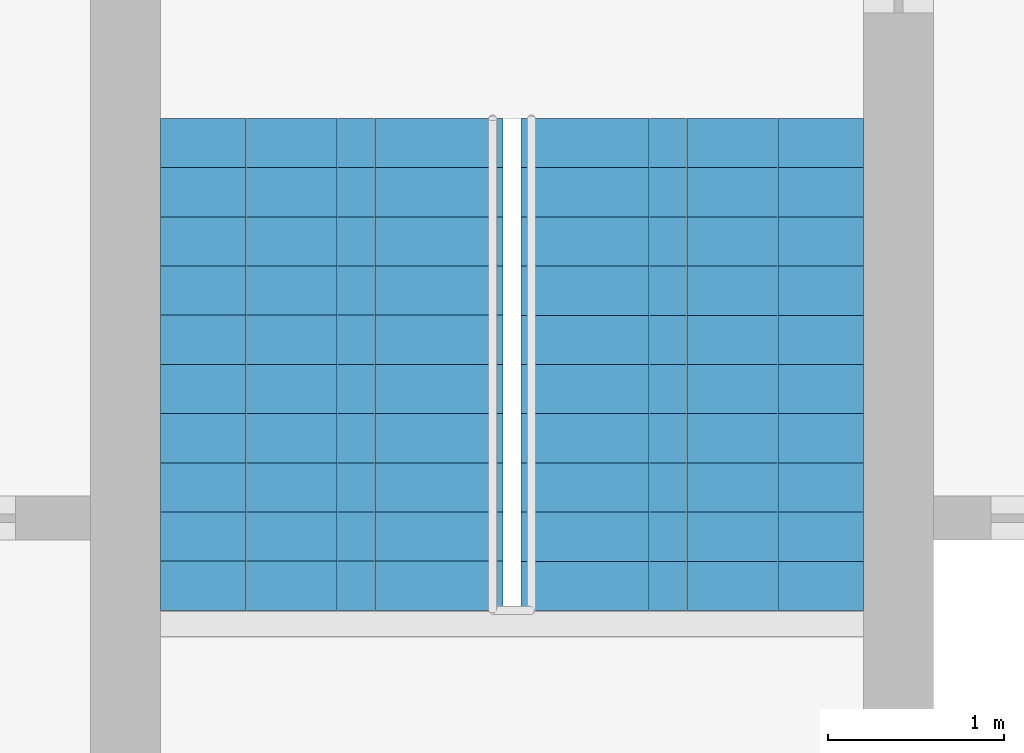
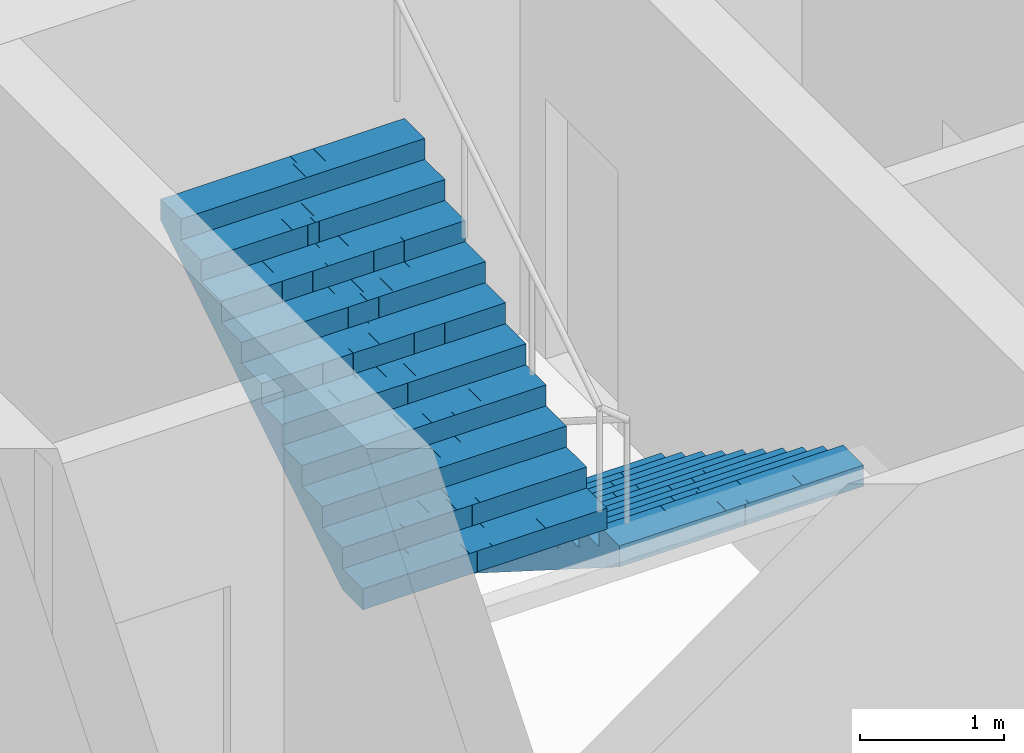
# One storey, part 18 of 19: 2 stair flights, 1 element without a shape of its own.
"""IFC4 building model written with IfcOpenShell, lengths in metres."""

from ifc_helpers import new_model, si_unit, direction, frame, origin, place, context, subcontext, project, spatial, polyline, outline, extrude, material, type_object, element, aggregate, save


model = new_model("IFC4")

# Units and contexts
model_context = context("Model", 3, precision=1e-05, world=origin(), true_north=direction((0.0, 1.0)))
body_context = subcontext(model_context, "Body", "Model", "MODEL_VIEW")
ifc_project = project(units=[si_unit("LENGTHUNIT", "METRE"), si_unit("AREAUNIT", "SQUARE_METRE"), si_unit("VOLUMEUNIT", "CUBIC_METRE"), si_unit("PLANEANGLEUNIT", "RADIAN"), si_unit("MASSUNIT", "GRAM", prefix="KILO")], contexts=[model_context])

# Site, building, storey
site_placement = place(None, origin())
site = spatial("IfcSite", under=ifc_project, at=site_placement, CompositionType="ELEMENT")
building_placement = place(site_placement, origin())
building = spatial("IfcBuilding", under=site, at=building_placement, Name="Mizan Broadcast Tower", CompositionType="ELEMENT")
storey_placement = place(building_placement, frame((0.0, 0.0, 204.89990234375)))
storey = spatial("IfcBuildingStorey", under=building, at=storey_placement, Name="L47", CompositionType="ELEMENT", Elevation=204.89990234375)

# Stair, stair flights
ifc_material_1 = material(Name="Concrete C40/50", Category="concrete")
stair_type = type_object("IfcStairType", Name="EXIT STAIR", PredefinedType="HALF_TURN_STAIR", material=ifc_material_1)
stair_placement = place(storey_placement, origin())
stair = element("IfcStair", 1, at=stair_placement, inside=storey, type_object=stair_type, Name="Stair B L47", PredefinedType="HALF_TURN_STAIR")
ifc_material_2 = material(Name="Concrete C40/50", Category="concrete")
stair_flight_type = type_object("IfcStairFlightType", Name="EXIT STAIR FLIGHT", PredefinedType="STRAIGHT", material=ifc_material_2)
stair_flight_1_placement = place(storey_placement, frame((1.02490234375, 7.89990234375, 0.0), z_axis=(0.0, 0.0, 1.0), x_axis=(0.0, -1.0, 0.0)))
stair_flight_1 = element("IfcStairFlight", 2, at=stair_flight_1_placement, type_object=stair_flight_type, Name="B flight 1", NumberOfRisers=11, NumberOfTreads=10, PredefinedType="STRAIGHT", RiserHeight=0.177272727, TreadLength=0.28, context=body_context, shape_type="SweptSolid", body=[
    extrude(outline(polyline([(0.0, 0.0), (0.0, 0.17724609375), (0.280029296875, 0.17724609375), (0.280029296875, 0.3544921875), (0.56005859375, 0.3544921875), (0.56005859375, 0.53173828125), (0.840087890625, 0.53173828125), (0.840087890625, 0.708984375), (1.1201171875, 0.708984375), (1.1201171875, 0.886474609375), (1.39990234375, 0.886474609375), (1.39990234375, 1.063720703125), (1.679931640625, 1.063720703125), (1.679931640625, 1.240966796875), (1.9599609375, 1.240966796875), (1.9599609375, 1.418212890625), (2.239990234375, 1.418212890625), (2.239990234375, 1.595458984375), (2.52001953125, 1.595458984375), (2.52001953125, 1.772705078125), (2.800048828125, 1.772705078125), (2.800048828125, 1.949951171875), (2.800048828125, 1.59521484375), (0.2802734375, 0.0), (0.0, 0.0)])), frame((0.0, 0.97509765625, 0.0), z_axis=(0.0, -1.0, 0.0), x_axis=(1.0, 0.0, 0.0)), (0.0, 0.0, 1.0), 0.4873046875),
    extrude(outline(polyline([(0.0, 0.0), (0.0, 0.17724609375), (0.280029296875, 0.17724609375), (0.280029296875, 0.3544921875), (0.56005859375, 0.3544921875), (0.56005859375, 0.53173828125), (0.840087890625, 0.53173828125), (0.840087890625, 0.708984375), (1.1201171875, 0.708984375), (1.1201171875, 0.886474609375), (1.39990234375, 0.886474609375), (1.39990234375, 1.063720703125), (1.679931640625, 1.063720703125), (1.679931640625, 1.240966796875), (1.9599609375, 1.240966796875), (1.9599609375, 1.418212890625), (2.239990234375, 1.418212890625), (2.239990234375, 1.595458984375), (2.52001953125, 1.595458984375), (2.52001953125, 1.772705078125), (2.800048828125, 1.772705078125), (2.800048828125, 1.949951171875), (2.800048828125, 1.59521484375), (0.2802734375, 0.0), (0.0, 0.0)])), frame((0.0, 0.4873046875, 0.0), z_axis=(0.0, -1.0, 0.0), x_axis=(1.0, 0.0, 0.0)), (0.0, 0.0, 1.0), 0.2431640625),
    extrude(outline(polyline([(0.0, 0.0), (0.0, 0.17724609375), (0.280029296875, 0.17724609375), (0.280029296875, 0.3544921875), (0.56005859375, 0.3544921875), (0.56005859375, 0.53173828125), (0.840087890625, 0.53173828125), (0.840087890625, 0.708984375), (1.1201171875, 0.708984375), (1.1201171875, 0.886474609375), (1.39990234375, 0.886474609375), (1.39990234375, 1.063720703125), (1.679931640625, 1.063720703125), (1.679931640625, 1.240966796875), (1.9599609375, 1.240966796875), (1.9599609375, 1.418212890625), (2.239990234375, 1.418212890625), (2.239990234375, 1.595458984375), (2.52001953125, 1.595458984375), (2.52001953125, 1.772705078125), (2.800048828125, 1.772705078125), (2.800048828125, 1.949951171875), (2.800048828125, 1.59521484375), (0.2802734375, 0.0), (0.0, 0.0)])), frame((0.0, 0.24365234375, 0.0), z_axis=(0.0, -1.0, 0.0), x_axis=(1.0, 0.0, 0.0)), (0.0, 0.0, 1.0), 0.121337890625),
    extrude(outline(polyline([(0.0, 0.0), (0.0, 0.17724609375), (0.280029296875, 0.17724609375), (0.280029296875, 0.3544921875), (0.56005859375, 0.3544921875), (0.56005859375, 0.53173828125), (0.840087890625, 0.53173828125), (0.840087890625, 0.708984375), (1.1201171875, 0.708984375), (1.1201171875, 0.886474609375), (1.39990234375, 0.886474609375), (1.39990234375, 1.063720703125), (1.679931640625, 1.063720703125), (1.679931640625, 1.240966796875), (1.9599609375, 1.240966796875), (1.9599609375, 1.418212890625), (2.239990234375, 1.418212890625), (2.239990234375, 1.595458984375), (2.52001953125, 1.595458984375), (2.52001953125, 1.772705078125), (2.800048828125, 1.772705078125), (2.800048828125, 1.949951171875), (2.800048828125, 1.59521484375), (0.2802734375, 0.0), (0.0, 0.0)])), frame((0.0, 0.121826171875, 0.0), z_axis=(0.0, -1.0, 0.0), x_axis=(1.0, 0.0, 0.0)), (0.0, 0.0, 1.0), 0.060546875),
    extrude(outline(polyline([(0.0, 0.0), (0.0, 0.17724609375), (0.280029296875, 0.17724609375), (0.280029296875, 0.3544921875), (0.56005859375, 0.3544921875), (0.56005859375, 0.53173828125), (0.840087890625, 0.53173828125), (0.840087890625, 0.708984375), (1.1201171875, 0.708984375), (1.1201171875, 0.886474609375), (1.39990234375, 0.886474609375), (1.39990234375, 1.063720703125), (1.679931640625, 1.063720703125), (1.679931640625, 1.240966796875), (1.9599609375, 1.240966796875), (1.9599609375, 1.418212890625), (2.239990234375, 1.418212890625), (2.239990234375, 1.595458984375), (2.52001953125, 1.595458984375), (2.52001953125, 1.772705078125), (2.800048828125, 1.772705078125), (2.800048828125, 1.949951171875), (2.800048828125, 1.59521484375), (0.2802734375, 0.0), (0.0, 0.0)])), frame((0.0, 0.060791015625, 0.0), z_axis=(0.0, -1.0, 0.0), x_axis=(1.0, 0.0, 0.0)), (0.0, 0.0, 1.0), 0.030029296875),
    extrude(outline(polyline([(0.0, 0.0), (0.0, 0.17724609375), (0.280029296875, 0.17724609375), (0.280029296875, 0.3544921875), (0.56005859375, 0.3544921875), (0.56005859375, 0.53173828125), (0.840087890625, 0.53173828125), (0.840087890625, 0.708984375), (1.1201171875, 0.708984375), (1.1201171875, 0.886474609375), (1.39990234375, 0.886474609375), (1.39990234375, 1.063720703125), (1.679931640625, 1.063720703125), (1.679931640625, 1.240966796875), (1.9599609375, 1.240966796875), (1.9599609375, 1.418212890625), (2.239990234375, 1.418212890625), (2.239990234375, 1.595458984375), (2.52001953125, 1.595458984375), (2.52001953125, 1.772705078125), (2.800048828125, 1.772705078125), (2.800048828125, 1.949951171875), (2.800048828125, 1.59521484375), (0.2802734375, 0.0), (0.0, 0.0)])), frame((0.0, 0.0302734375, 0.0), z_axis=(0.0, -1.0, 0.0), x_axis=(1.0, 0.0, 0.0)), (0.0, 0.0, 1.0), 0.060302734375),
    extrude(outline(polyline([(0.0, 0.0), (0.0, 0.17724609375), (0.280029296875, 0.17724609375), (0.280029296875, 0.3544921875), (0.56005859375, 0.3544921875), (0.56005859375, 0.53173828125), (0.840087890625, 0.53173828125), (0.840087890625, 0.708984375), (1.1201171875, 0.708984375), (1.1201171875, 0.886474609375), (1.39990234375, 0.886474609375), (1.39990234375, 1.063720703125), (1.679931640625, 1.063720703125), (1.679931640625, 1.240966796875), (1.9599609375, 1.240966796875), (1.9599609375, 1.418212890625), (2.239990234375, 1.418212890625), (2.239990234375, 1.595458984375), (2.52001953125, 1.595458984375), (2.52001953125, 1.772705078125), (2.800048828125, 1.772705078125), (2.800048828125, 1.949951171875), (2.800048828125, 1.59521484375), (0.2802734375, 0.0), (0.0, 0.0)])), frame((0.0, -0.030517578125, 0.0), z_axis=(0.0, -1.0, 0.0), x_axis=(1.0, 0.0, 0.0)), (0.0, 0.0, 1.0), 0.030029296875),
    extrude(outline(polyline([(0.0, 0.0), (0.0, 0.17724609375), (0.280029296875, 0.17724609375), (0.280029296875, 0.3544921875), (0.56005859375, 0.3544921875), (0.56005859375, 0.53173828125), (0.840087890625, 0.53173828125), (0.840087890625, 0.708984375), (1.1201171875, 0.708984375), (1.1201171875, 0.886474609375), (1.39990234375, 0.886474609375), (1.39990234375, 1.063720703125), (1.679931640625, 1.063720703125), (1.679931640625, 1.240966796875), (1.9599609375, 1.240966796875), (1.9599609375, 1.418212890625), (2.239990234375, 1.418212890625), (2.239990234375, 1.595458984375), (2.52001953125, 1.595458984375), (2.52001953125, 1.772705078125), (2.800048828125, 1.772705078125), (2.800048828125, 1.949951171875), (2.800048828125, 1.59521484375), (0.2802734375, 0.0), (0.0, 0.0)])), frame((0.0, -0.06103515625, 0.0), z_axis=(0.0, -1.0, 0.0), x_axis=(1.0, 0.0, 0.0)), (0.0, 0.0, 1.0), 0.060546875),
    extrude(outline(polyline([(0.0, 0.0), (0.0, 0.17724609375), (0.280029296875, 0.17724609375), (0.280029296875, 0.3544921875), (0.56005859375, 0.3544921875), (0.56005859375, 0.53173828125), (0.840087890625, 0.53173828125), (0.840087890625, 0.708984375), (1.1201171875, 0.708984375), (1.1201171875, 0.886474609375), (1.39990234375, 0.886474609375), (1.39990234375, 1.063720703125), (1.679931640625, 1.063720703125), (1.679931640625, 1.240966796875), (1.9599609375, 1.240966796875), (1.9599609375, 1.418212890625), (2.239990234375, 1.418212890625), (2.239990234375, 1.595458984375), (2.52001953125, 1.595458984375), (2.52001953125, 1.772705078125), (2.800048828125, 1.772705078125), (2.800048828125, 1.949951171875), (2.800048828125, 1.59521484375), (0.2802734375, 0.0), (0.0, 0.0)])), frame((0.0, -0.1220703125, 0.0), z_axis=(0.0, -1.0, 0.0), x_axis=(1.0, 0.0, 0.0)), (0.0, 0.0, 1.0), 0.121337890625),
    extrude(outline(polyline([(0.0, 0.0), (0.0, 0.17724609375), (0.280029296875, 0.17724609375), (0.280029296875, 0.3544921875), (0.56005859375, 0.3544921875), (0.56005859375, 0.53173828125), (0.840087890625, 0.53173828125), (0.840087890625, 0.708984375), (1.1201171875, 0.708984375), (1.1201171875, 0.886474609375), (1.39990234375, 0.886474609375), (1.39990234375, 1.063720703125), (1.679931640625, 1.063720703125), (1.679931640625, 1.240966796875), (1.9599609375, 1.240966796875), (1.9599609375, 1.418212890625), (2.239990234375, 1.418212890625), (2.239990234375, 1.595458984375), (2.52001953125, 1.595458984375), (2.52001953125, 1.772705078125), (2.800048828125, 1.772705078125), (2.800048828125, 1.949951171875), (2.800048828125, 1.59521484375), (0.2802734375, 0.0), (0.0, 0.0)])), frame((0.0, -0.243896484375, 0.0), z_axis=(0.0, -1.0, 0.0), x_axis=(1.0, 0.0, 0.0)), (0.0, 0.0, 1.0), 0.2431640625),
    extrude(outline(polyline([(0.0, 0.0), (0.0, 0.17724609375), (0.280029296875, 0.17724609375), (0.280029296875, 0.3544921875), (0.56005859375, 0.3544921875), (0.56005859375, 0.53173828125), (0.840087890625, 0.53173828125), (0.840087890625, 0.708984375), (1.1201171875, 0.708984375), (1.1201171875, 0.886474609375), (1.39990234375, 0.886474609375), (1.39990234375, 1.063720703125), (1.679931640625, 1.063720703125), (1.679931640625, 1.240966796875), (1.9599609375, 1.240966796875), (1.9599609375, 1.418212890625), (2.239990234375, 1.418212890625), (2.239990234375, 1.595458984375), (2.52001953125, 1.595458984375), (2.52001953125, 1.772705078125), (2.800048828125, 1.772705078125), (2.800048828125, 1.949951171875), (2.800048828125, 1.59521484375), (0.2802734375, 0.0), (0.0, 0.0)])), frame((0.0, -0.487548828125, 0.0), z_axis=(0.0, -1.0, 0.0), x_axis=(1.0, 0.0, 0.0)), (0.0, 0.0, 1.0), 0.4873046875),
])
stair_flight_2_placement = place(storey_placement, frame((-1.02490234375, 5.10009765625, 1.9501953125), z_axis=(0.0, 0.0, 1.0), x_axis=(0.0, 1.0, 0.0)))
stair_flight_2 = element("IfcStairFlight", 3, at=stair_flight_2_placement, type_object=stair_flight_type, Name="B flight 2", NumberOfRisers=11, NumberOfTreads=10, PredefinedType="STRAIGHT", RiserHeight=0.177272727, TreadLength=0.28, context=body_context, shape_type="SweptSolid", body=[
    extrude(outline(polyline([(0.0, 0.0), (0.0, 0.17724609375), (0.280029296875, 0.17724609375), (0.280029296875, 0.3544921875), (0.56005859375, 0.3544921875), (0.56005859375, 0.53173828125), (0.840087890625, 0.53173828125), (0.840087890625, 0.708984375), (1.1201171875, 0.708984375), (1.1201171875, 0.886474609375), (1.39990234375, 0.886474609375), (1.39990234375, 1.063720703125), (1.679931640625, 1.063720703125), (1.679931640625, 1.240966796875), (1.9599609375, 1.240966796875), (1.9599609375, 1.418212890625), (2.239990234375, 1.418212890625), (2.239990234375, 1.595458984375), (2.52001953125, 1.595458984375), (2.52001953125, 1.772705078125), (2.800048828125, 1.772705078125), (2.800048828125, 1.949951171875), (2.800048828125, 1.59521484375), (0.2802734375, 0.0), (0.0, 0.0)])), frame((0.0, 0.97509765625, 0.0), z_axis=(0.0, -1.0, 0.0), x_axis=(1.0, 0.0, 0.0)), (0.0, 0.0, 1.0), 0.4873046875),
    extrude(outline(polyline([(0.0, 0.0), (0.0, 0.17724609375), (0.280029296875, 0.17724609375), (0.280029296875, 0.3544921875), (0.56005859375, 0.3544921875), (0.56005859375, 0.53173828125), (0.840087890625, 0.53173828125), (0.840087890625, 0.708984375), (1.1201171875, 0.708984375), (1.1201171875, 0.886474609375), (1.39990234375, 0.886474609375), (1.39990234375, 1.063720703125), (1.679931640625, 1.063720703125), (1.679931640625, 1.240966796875), (1.9599609375, 1.240966796875), (1.9599609375, 1.418212890625), (2.239990234375, 1.418212890625), (2.239990234375, 1.595458984375), (2.52001953125, 1.595458984375), (2.52001953125, 1.772705078125), (2.800048828125, 1.772705078125), (2.800048828125, 1.949951171875), (2.800048828125, 1.59521484375), (0.2802734375, 0.0), (0.0, 0.0)])), frame((0.0, 0.4873046875, 0.0), z_axis=(0.0, -1.0, 0.0), x_axis=(1.0, 0.0, 0.0)), (0.0, 0.0, 1.0), 0.2431640625),
    extrude(outline(polyline([(0.0, 0.0), (0.0, 0.17724609375), (0.280029296875, 0.17724609375), (0.280029296875, 0.3544921875), (0.56005859375, 0.3544921875), (0.56005859375, 0.53173828125), (0.840087890625, 0.53173828125), (0.840087890625, 0.708984375), (1.1201171875, 0.708984375), (1.1201171875, 0.886474609375), (1.39990234375, 0.886474609375), (1.39990234375, 1.063720703125), (1.679931640625, 1.063720703125), (1.679931640625, 1.240966796875), (1.9599609375, 1.240966796875), (1.9599609375, 1.418212890625), (2.239990234375, 1.418212890625), (2.239990234375, 1.595458984375), (2.52001953125, 1.595458984375), (2.52001953125, 1.772705078125), (2.800048828125, 1.772705078125), (2.800048828125, 1.949951171875), (2.800048828125, 1.59521484375), (0.2802734375, 0.0), (0.0, 0.0)])), frame((0.0, 0.24365234375, 0.0), z_axis=(0.0, -1.0, 0.0), x_axis=(1.0, 0.0, 0.0)), (0.0, 0.0, 1.0), 0.121337890625),
    extrude(outline(polyline([(0.0, 0.0), (0.0, 0.17724609375), (0.280029296875, 0.17724609375), (0.280029296875, 0.3544921875), (0.56005859375, 0.3544921875), (0.56005859375, 0.53173828125), (0.840087890625, 0.53173828125), (0.840087890625, 0.708984375), (1.1201171875, 0.708984375), (1.1201171875, 0.886474609375), (1.39990234375, 0.886474609375), (1.39990234375, 1.063720703125), (1.679931640625, 1.063720703125), (1.679931640625, 1.240966796875), (1.9599609375, 1.240966796875), (1.9599609375, 1.418212890625), (2.239990234375, 1.418212890625), (2.239990234375, 1.595458984375), (2.52001953125, 1.595458984375), (2.52001953125, 1.772705078125), (2.800048828125, 1.772705078125), (2.800048828125, 1.949951171875), (2.800048828125, 1.59521484375), (0.2802734375, 0.0), (0.0, 0.0)])), frame((0.0, 0.121826171875, 0.0), z_axis=(0.0, -1.0, 0.0), x_axis=(1.0, 0.0, 0.0)), (0.0, 0.0, 1.0), 0.060546875),
    extrude(outline(polyline([(0.0, 0.0), (0.0, 0.17724609375), (0.280029296875, 0.17724609375), (0.280029296875, 0.3544921875), (0.56005859375, 0.3544921875), (0.56005859375, 0.53173828125), (0.840087890625, 0.53173828125), (0.840087890625, 0.708984375), (1.1201171875, 0.708984375), (1.1201171875, 0.886474609375), (1.39990234375, 0.886474609375), (1.39990234375, 1.063720703125), (1.679931640625, 1.063720703125), (1.679931640625, 1.240966796875), (1.9599609375, 1.240966796875), (1.9599609375, 1.418212890625), (2.239990234375, 1.418212890625), (2.239990234375, 1.595458984375), (2.52001953125, 1.595458984375), (2.52001953125, 1.772705078125), (2.800048828125, 1.772705078125), (2.800048828125, 1.949951171875), (2.800048828125, 1.59521484375), (0.2802734375, 0.0), (0.0, 0.0)])), frame((0.0, 0.060791015625, 0.0), z_axis=(0.0, -1.0, 0.0), x_axis=(1.0, 0.0, 0.0)), (0.0, 0.0, 1.0), 0.030029296875),
    extrude(outline(polyline([(0.0, 0.0), (0.0, 0.17724609375), (0.280029296875, 0.17724609375), (0.280029296875, 0.3544921875), (0.56005859375, 0.3544921875), (0.56005859375, 0.53173828125), (0.840087890625, 0.53173828125), (0.840087890625, 0.708984375), (1.1201171875, 0.708984375), (1.1201171875, 0.886474609375), (1.39990234375, 0.886474609375), (1.39990234375, 1.063720703125), (1.679931640625, 1.063720703125), (1.679931640625, 1.240966796875), (1.9599609375, 1.240966796875), (1.9599609375, 1.418212890625), (2.239990234375, 1.418212890625), (2.239990234375, 1.595458984375), (2.52001953125, 1.595458984375), (2.52001953125, 1.772705078125), (2.800048828125, 1.772705078125), (2.800048828125, 1.949951171875), (2.800048828125, 1.59521484375), (0.2802734375, 0.0), (0.0, 0.0)])), frame((0.0, 0.0302734375, 0.0), z_axis=(0.0, -1.0, 0.0), x_axis=(1.0, 0.0, 0.0)), (0.0, 0.0, 1.0), 0.060302734375),
    extrude(outline(polyline([(0.0, 0.0), (0.0, 0.17724609375), (0.280029296875, 0.17724609375), (0.280029296875, 0.3544921875), (0.56005859375, 0.3544921875), (0.56005859375, 0.53173828125), (0.840087890625, 0.53173828125), (0.840087890625, 0.708984375), (1.1201171875, 0.708984375), (1.1201171875, 0.886474609375), (1.39990234375, 0.886474609375), (1.39990234375, 1.063720703125), (1.679931640625, 1.063720703125), (1.679931640625, 1.240966796875), (1.9599609375, 1.240966796875), (1.9599609375, 1.418212890625), (2.239990234375, 1.418212890625), (2.239990234375, 1.595458984375), (2.52001953125, 1.595458984375), (2.52001953125, 1.772705078125), (2.800048828125, 1.772705078125), (2.800048828125, 1.949951171875), (2.800048828125, 1.59521484375), (0.2802734375, 0.0), (0.0, 0.0)])), frame((0.0, -0.030517578125, 0.0), z_axis=(0.0, -1.0, 0.0), x_axis=(1.0, 0.0, 0.0)), (0.0, 0.0, 1.0), 0.030029296875),
    extrude(outline(polyline([(0.0, 0.0), (0.0, 0.17724609375), (0.280029296875, 0.17724609375), (0.280029296875, 0.3544921875), (0.56005859375, 0.3544921875), (0.56005859375, 0.53173828125), (0.840087890625, 0.53173828125), (0.840087890625, 0.708984375), (1.1201171875, 0.708984375), (1.1201171875, 0.886474609375), (1.39990234375, 0.886474609375), (1.39990234375, 1.063720703125), (1.679931640625, 1.063720703125), (1.679931640625, 1.240966796875), (1.9599609375, 1.240966796875), (1.9599609375, 1.418212890625), (2.239990234375, 1.418212890625), (2.239990234375, 1.595458984375), (2.52001953125, 1.595458984375), (2.52001953125, 1.772705078125), (2.800048828125, 1.772705078125), (2.800048828125, 1.949951171875), (2.800048828125, 1.59521484375), (0.2802734375, 0.0), (0.0, 0.0)])), frame((0.0, -0.06103515625, 0.0), z_axis=(0.0, -1.0, 0.0), x_axis=(1.0, 0.0, 0.0)), (0.0, 0.0, 1.0), 0.060546875),
    extrude(outline(polyline([(0.0, 0.0), (0.0, 0.17724609375), (0.280029296875, 0.17724609375), (0.280029296875, 0.3544921875), (0.56005859375, 0.3544921875), (0.56005859375, 0.53173828125), (0.840087890625, 0.53173828125), (0.840087890625, 0.708984375), (1.1201171875, 0.708984375), (1.1201171875, 0.886474609375), (1.39990234375, 0.886474609375), (1.39990234375, 1.063720703125), (1.679931640625, 1.063720703125), (1.679931640625, 1.240966796875), (1.9599609375, 1.240966796875), (1.9599609375, 1.418212890625), (2.239990234375, 1.418212890625), (2.239990234375, 1.595458984375), (2.52001953125, 1.595458984375), (2.52001953125, 1.772705078125), (2.800048828125, 1.772705078125), (2.800048828125, 1.949951171875), (2.800048828125, 1.59521484375), (0.2802734375, 0.0), (0.0, 0.0)])), frame((0.0, -0.1220703125, 0.0), z_axis=(0.0, -1.0, 0.0), x_axis=(1.0, 0.0, 0.0)), (0.0, 0.0, 1.0), 0.121337890625),
    extrude(outline(polyline([(0.0, 0.0), (0.0, 0.17724609375), (0.280029296875, 0.17724609375), (0.280029296875, 0.3544921875), (0.56005859375, 0.3544921875), (0.56005859375, 0.53173828125), (0.840087890625, 0.53173828125), (0.840087890625, 0.708984375), (1.1201171875, 0.708984375), (1.1201171875, 0.886474609375), (1.39990234375, 0.886474609375), (1.39990234375, 1.063720703125), (1.679931640625, 1.063720703125), (1.679931640625, 1.240966796875), (1.9599609375, 1.240966796875), (1.9599609375, 1.418212890625), (2.239990234375, 1.418212890625), (2.239990234375, 1.595458984375), (2.52001953125, 1.595458984375), (2.52001953125, 1.772705078125), (2.800048828125, 1.772705078125), (2.800048828125, 1.949951171875), (2.800048828125, 1.59521484375), (0.2802734375, 0.0), (0.0, 0.0)])), frame((0.0, -0.243896484375, 0.0), z_axis=(0.0, -1.0, 0.0), x_axis=(1.0, 0.0, 0.0)), (0.0, 0.0, 1.0), 0.2431640625),
    extrude(outline(polyline([(0.0, 0.0), (0.0, 0.17724609375), (0.280029296875, 0.17724609375), (0.280029296875, 0.3544921875), (0.56005859375, 0.3544921875), (0.56005859375, 0.53173828125), (0.840087890625, 0.53173828125), (0.840087890625, 0.708984375), (1.1201171875, 0.708984375), (1.1201171875, 0.886474609375), (1.39990234375, 0.886474609375), (1.39990234375, 1.063720703125), (1.679931640625, 1.063720703125), (1.679931640625, 1.240966796875), (1.9599609375, 1.240966796875), (1.9599609375, 1.418212890625), (2.239990234375, 1.418212890625), (2.239990234375, 1.595458984375), (2.52001953125, 1.595458984375), (2.52001953125, 1.772705078125), (2.800048828125, 1.772705078125), (2.800048828125, 1.949951171875), (2.800048828125, 1.59521484375), (0.2802734375, 0.0), (0.0, 0.0)])), frame((0.0, -0.487548828125, 0.0), z_axis=(0.0, -1.0, 0.0), x_axis=(1.0, 0.0, 0.0)), (0.0, 0.0, 1.0), 0.4873046875),
])
aggregate(stair, [stair_flight_1, stair_flight_2])

save(model, "model.ifc")
